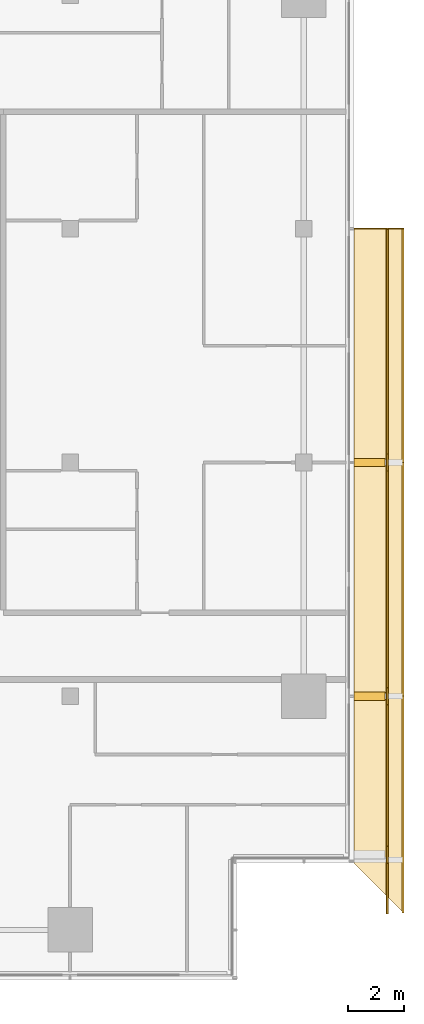
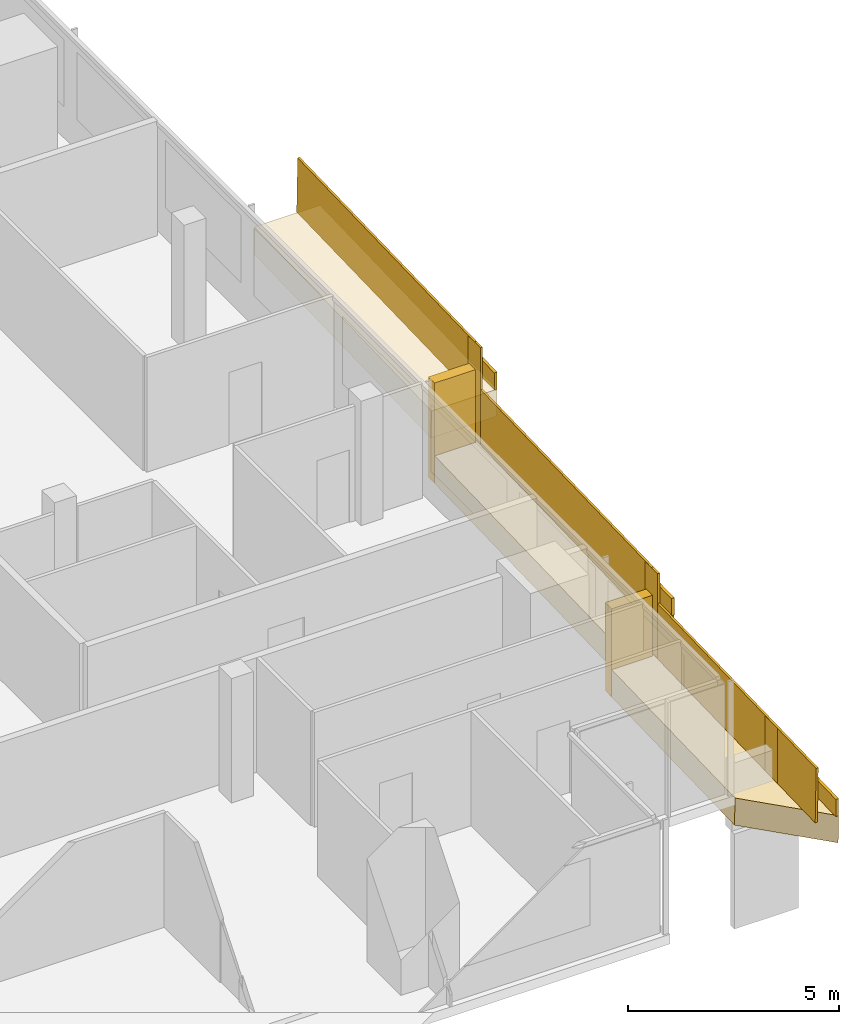
# One storey, part 28 of 28: 8 coverings, 6 railings.
"""IFC4 building model written with IfcOpenShell, lengths in metres."""

from ifc_helpers import new_model, si_unit, direction, frame, origin, origin_2d, place, context, subcontext, project, spatial, polyline, rectangle, outline, extrude, material, layer, layer_set, type_object, element, save


model = new_model("IFC4")

# Units and contexts
model_context = context("Model", 3, precision=1e-05, world=origin(), true_north=direction((0.0, 1.0)))
body_context = subcontext(model_context, "Body", "Model", "MODEL_VIEW")
ifc_project = project(units=[si_unit("LENGTHUNIT", "METRE"), si_unit("AREAUNIT", "SQUARE_METRE"), si_unit("VOLUMEUNIT", "CUBIC_METRE"), si_unit("PLANEANGLEUNIT", "RADIAN"), si_unit("MASSUNIT", "GRAM", prefix="KILO")], contexts=[model_context])

# Site, building, storey
site_placement = place(None, origin())
site = spatial("IfcSite", under=ifc_project, at=site_placement, CompositionType="ELEMENT")
building_placement = place(site_placement, origin())
building = spatial("IfcBuilding", under=site, at=building_placement, Name="Saffron Gate Tower", CompositionType="ELEMENT")
storey_placement = place(building_placement, frame((0.0, 0.0, 241.5)))
storey = spatial("IfcBuildingStorey", under=building, at=storey_placement, Name="L59", CompositionType="ELEMENT", Elevation=241.5)

# Coverings
ifc_material = material(Name="Timber, thermally modified ash", Category="wood")
ifc_layer_1 = layer(ifc_material, 0.800048828125)
ifc_layer_set_1 = layer_set([ifc_layer_1], Name="LD1 ledge timber")
covering_type_1 = type_object("IfcCoveringType", Name="LD1 ledge timber", PredefinedType="CLADDING", material=ifc_layer_set_1)
covering_1_placement = place(storey_placement, frame((127.199951171875, 34.199951171875, -0.07177734375), z_axis=(-2.391759e-05, -0.028789477025, 0.999585496814), x_axis=(1.72e-10, 0.9995854971, 0.028789477033)))
element("IfcCovering", 1, at=covering_1_placement, inside=storey, type_object=covering_type_1, Name="LEDGE", PredefinedType="CLADDING", context=body_context, shape_type="SweptSolid", body=[
    extrude(outline(polyline([(0.0, 0.0), (6.002489288687248, -8.470329472543003e-22), (6.002489288996045, -1.8000488276101398), (-1.800792782710612, -1.8000488299785034), (0.0, 0.0)])), origin(), (0.0, 0.0, -1.0), 0.800048828125),
])
covering_2_placement = place(storey_placement, frame((127.199951171875, 40.199951171875, 0.95849609375), z_axis=(0.0, -0.028790339263, 0.999585472266), x_axis=(0.0, 0.999585472266, 0.028790339263)))
element("IfcCovering", 2, at=covering_2_placement, inside=storey, type_object=covering_type_1, Name="LEDGE", PredefinedType="CLADDING", context=body_context, shape_type="SweptSolid", body=[
    extrude(outline(polyline([(0.0, 0.0), (8.403630022085892, 0.0), (8.403630022085892, -1.800048828125), (0.0, -1.800048828125), (0.0, 0.0)])), origin(), (0.0, 0.0, -1.0), 0.800048828125),
])
covering_3_placement = place(storey_placement, frame((127.199951171875, 48.60009765625, 2.40087890625), z_axis=(0.0, -0.028791175352, 0.999585448184), x_axis=(0.0, 0.999585448184, 0.028791175352)))
element("IfcCovering", 3, at=covering_3_placement, inside=storey, type_object=covering_type_1, Name="LEDGE", PredefinedType="CLADDING", context=body_context, shape_type="SweptSolid", body=[
    extrude(outline(polyline([(0.0, 0.0), (8.403385982666892, 0.0), (8.403385982666892, -1.800048828125), (0.0, -1.800048828125), (0.0, 0.0)])), origin(), (0.0, 0.0, -1.0), 0.800048828125),
])
ifc_layer_2 = layer(ifc_material, 0.080078125)
ifc_layer_set_2 = layer_set([ifc_layer_2], Name="LD2 ledge planter trough")
covering_type_2 = type_object("IfcCoveringType", Name="LD2 ledge planter trough", PredefinedType="CLADDING", material=ifc_layer_set_2)
covering_4_placement = place(storey_placement, frame((129.0, 32.39990234375, -0.12353515625), z_axis=(1.0, 0.0, 0.0), x_axis=(0.0, 0.999585655924, 0.028783962047)))
element("IfcCovering", 4, at=covering_4_placement, inside=storey, type_object=covering_type_2, Name="LEDGE planter trough", PredefinedType="CLADDING", context=body_context, shape_type="SweptSolid", body=[
    extrude(outline(polyline([(0.0, 0.0), (7.803282071825423, 2.7755575615628914e-17), (7.817674052849086, 0.4997928279619612), (0.014391981023662846, 0.4997928279619612), (0.0, 0.0)])), origin(), (0.0, 0.0, -1.0), 0.080078125),
])
covering_5_placement = place(storey_placement, frame((129.0, 40.199951171875, 0.95849609375), z_axis=(1.0, 0.0, 0.0), x_axis=(0.0, 0.999585472266, 0.028790339263)))
element("IfcCovering", 5, at=covering_5_placement, inside=storey, type_object=covering_type_2, Name="LEDGE planter trough", PredefinedType="CLADDING", context=body_context, shape_type="SweptSolid", body=[
    extrude(outline(polyline([(0.0, 0.0), (8.403630022085892, 0.0), (8.418025191717298, 0.4997927361329725), (0.014395169631405694, 0.4997927361329725), (0.0, 0.0)])), origin(), (0.0, 0.0, -1.0), 0.080078125),
])
covering_6_placement = place(storey_placement, frame((129.0, 48.60009765625, 2.40087890625), z_axis=(1.0, 0.0, 0.0), x_axis=(0.0, 0.999585448184, 0.028791175352)))
element("IfcCovering", 6, at=covering_6_placement, inside=storey, type_object=covering_type_2, Name="LEDGE planter trough", PredefinedType="CLADDING", context=body_context, shape_type="SweptSolid", body=[
    extrude(outline(polyline([(0.0, 0.0), (8.403385982666892, 0.0), (8.417781570342743, 0.49979272409216496), (0.014395587675851172, 0.4997927240921649), (0.0, 0.0)])), origin(), (0.0, 0.0, -1.0), 0.080078125),
])
ifc_layer_3 = layer(ifc_material, 0.300048828125)
ifc_layer_set_3 = layer_set([ifc_layer_3], Name="LD3 ledge riser fin")
covering_type_3 = type_object("IfcCoveringType", Name="LD3 ledge riser fin", PredefinedType="CLADDING", material=ifc_layer_set_3)
covering_7_placement = place(storey_placement, frame((127.760009765625, 40.199951171875, -0.69873046875), z_axis=(0.0, 0.0, 1.0), x_axis=(0.0, 1.0, 0.0)))
element("IfcCovering", 7, at=covering_7_placement, inside=storey, type_object=covering_type_3, Name="LEDGE riser fin", PredefinedType="CLADDING", context=body_context, shape_type="SweptSolid", body=[
    extrude(rectangle(XDim=0.300048828125, YDim=1.1201171875, at=origin_2d()), origin(), (0.0, 0.0, 1.0), 2.557373046875),
])
covering_8_placement = place(storey_placement, frame((127.760009765625, 48.60009765625, 0.400390625), z_axis=(0.0, 0.0, 1.0), x_axis=(0.0, 1.0, 0.0)))
element("IfcCovering", 8, at=covering_8_placement, inside=storey, type_object=covering_type_3, Name="LEDGE riser fin", PredefinedType="CLADDING", context=body_context, shape_type="SweptSolid", body=[
    extrude(rectangle(XDim=0.300048828125, YDim=1.1201171875, at=origin_2d()), origin(), (0.0, 0.0, 1.0), 2.900390625),
])

# Railings
railing_type = type_object("IfcRailingType", Name="LG1 ledge balustrade", PredefinedType="BALUSTRADE", material=ifc_material)
railing_1_placement = place(storey_placement, frame((128.39990234375, 32.39990234375, -0.12353515625)))
element("IfcRailing", 9, at=railing_1_placement, inside=storey, type_object=railing_type, Name="LEDGE BALUSTRADE", PredefinedType="BALUSTRADE", context=body_context, shape_type="SweptSolid", body=[
    extrude(rectangle(XDim=0.06005859375, YDim=1.60009765625, at=origin_2d()), frame((0.0, 0.0, 0.800048828125), z_axis=(0.0, 0.999585655924, 0.028783962047), x_axis=(-1.0, 0.0, 0.0)), (0.0, 0.0, 1.0), 7.80322265625),
])
railing_2_placement = place(storey_placement, frame((128.39990234375, 34.199951171875, -0.3291015625)))
element("IfcRailing", 10, at=railing_2_placement, inside=storey, type_object=railing_type, Name="LEDGE BALUSTRADE", PredefinedType="BALUSTRADE", context=body_context, shape_type="SweptSolid", body=[
    extrude(rectangle(XDim=0.06005859375, YDim=1.857177734375, at=origin_2d()), frame((0.0, 0.0, 0.9287109375), z_axis=(0.0, 1.0, 0.0), x_axis=(-1.0, 0.0, 0.0)), (0.0, 0.0, 1.0), 0.60009765625),
])
railing_3_placement = place(storey_placement, frame((128.39990234375, 40.199951171875, 0.95849609375)))
element("IfcRailing", 11, at=railing_3_placement, inside=storey, type_object=railing_type, Name="LEDGE BALUSTRADE", PredefinedType="BALUSTRADE", context=body_context, shape_type="SweptSolid", body=[
    extrude(rectangle(XDim=0.06005859375, YDim=1.60009765625, at=origin_2d()), frame((0.0, 0.0, 0.800048828125), z_axis=(0.0, 0.999585472266, 0.028790339263), x_axis=(-1.0, 0.0, 0.0)), (0.0, 0.0, 1.0), 8.403564453125),
])
railing_4_placement = place(storey_placement, frame((128.39990234375, 39.89990234375, 0.10107421875)))
element("IfcRailing", 12, at=railing_4_placement, inside=storey, type_object=railing_type, Name="LEDGE BALUSTRADE", PredefinedType="BALUSTRADE", context=body_context, shape_type="SweptSolid", body=[
    extrude(rectangle(XDim=0.06005859375, YDim=2.45751953125, at=origin_2d()), frame((0.0, 0.0, 1.228759765625), z_axis=(0.0, 1.0, 0.0), x_axis=(-1.0, 0.0, 0.0)), (0.0, 0.0, 1.0), 0.60009765625),
])
railing_5_placement = place(storey_placement, frame((128.39990234375, 48.60009765625, 2.40087890625)))
element("IfcRailing", 13, at=railing_5_placement, inside=storey, type_object=railing_type, Name="LEDGE BALUSTRADE", PredefinedType="BALUSTRADE", context=body_context, shape_type="SweptSolid", body=[
    extrude(rectangle(XDim=0.06005859375, YDim=1.60009765625, at=origin_2d()), frame((0.0, 0.0, 0.800048828125), z_axis=(0.0, 0.999585448184, 0.028791175352), x_axis=(-1.0, 0.0, 0.0)), (0.0, 0.0, 1.0), 8.4033203125),
])
railing_6_placement = place(storey_placement, frame((128.39990234375, 48.300048828125, 1.200439453125)))
element("IfcRailing", 14, at=railing_6_placement, inside=storey, type_object=railing_type, Name="LEDGE BALUSTRADE", PredefinedType="BALUSTRADE", context=body_context, shape_type="SweptSolid", body=[
    extrude(rectangle(XDim=0.06005859375, YDim=2.80029296875, at=origin_2d()), frame((0.0, 0.0, 1.400146484375), z_axis=(0.0, 1.0, 0.0), x_axis=(-1.0, 0.0, 0.0)), (0.0, 0.0, 1.0), 0.599853515625),
])

save(model, "model.ifc")
